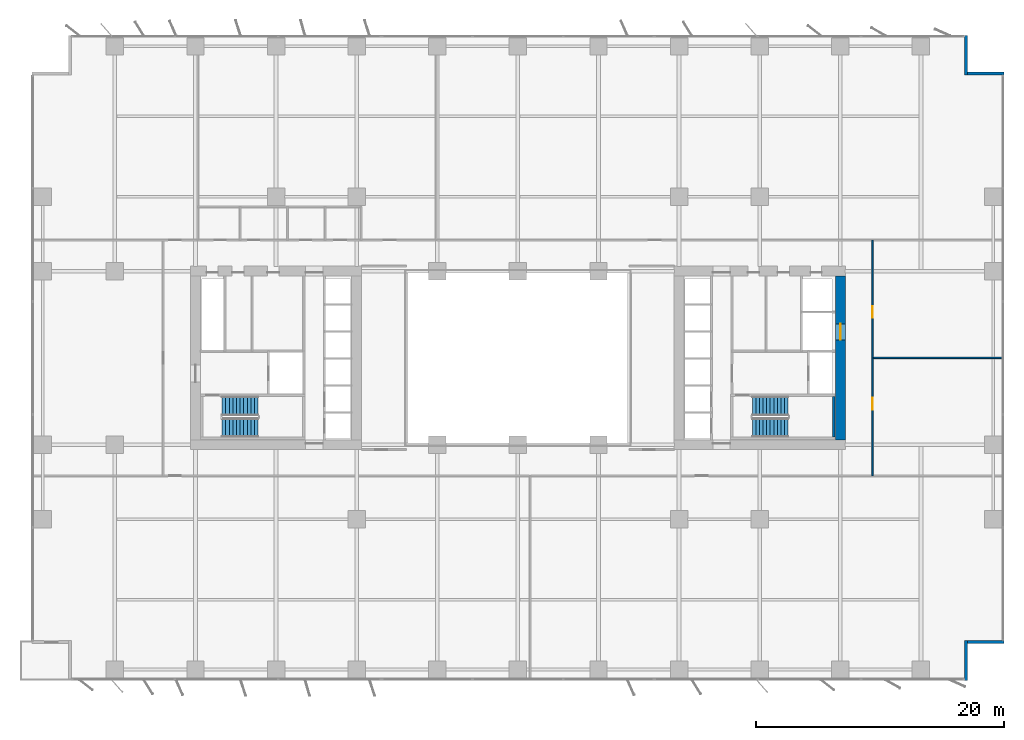
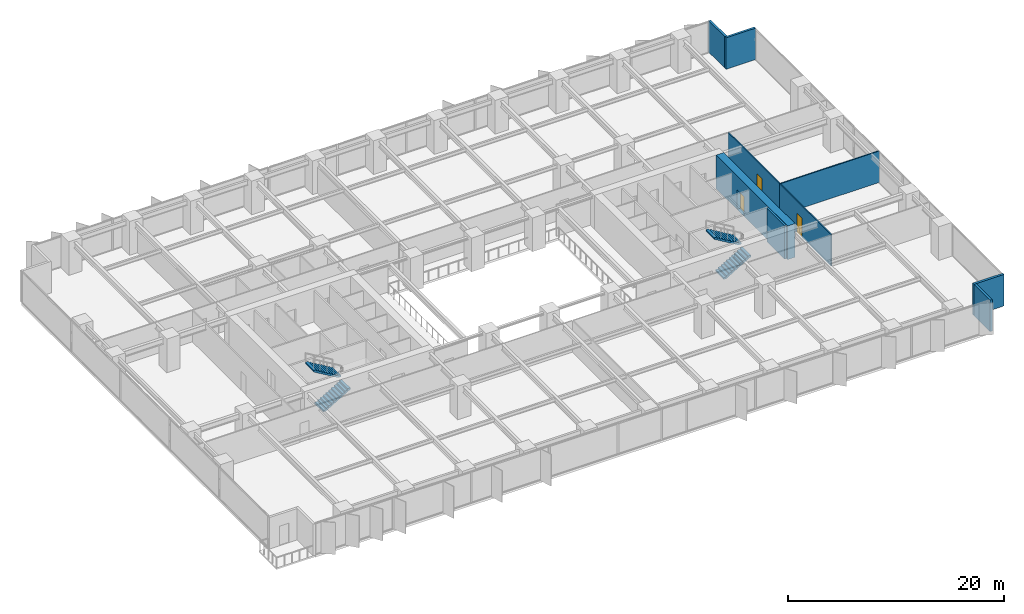
# One storey, part 16 of 20: 9 walls, 4 stair flights, 3 doors, 3 openings, 2 elements without a shape of their own.
"""IFC4 building model written with IfcOpenShell, lengths in metres."""

from ifc_helpers import new_model, si_unit, direction, frame, frame_2d, origin, place, context, subcontext, project, spatial, polyline, rectangle, outline, extrude, material, layer, layer_set, type_object, element, fill, aggregate, save


model = new_model("IFC4")

# Units and contexts
model_context = context("Model", 3, precision=1e-05, world=origin(), true_north=direction((0.0, 1.0)))
body_context = subcontext(model_context, "Body", "Model", "MODEL_VIEW")
ifc_project = project(units=[si_unit("LENGTHUNIT", "METRE"), si_unit("AREAUNIT", "SQUARE_METRE"), si_unit("VOLUMEUNIT", "CUBIC_METRE"), si_unit("PLANEANGLEUNIT", "RADIAN"), si_unit("MASSUNIT", "GRAM", prefix="KILO")], contexts=[model_context])

# Site, building, storey
site_placement = place(None, origin())
site = spatial("IfcSite", under=ifc_project, at=site_placement, CompositionType="ELEMENT")
building_placement = place(site_placement, origin())
building = spatial("IfcBuilding", under=site, at=building_placement, Name="Putna Gate Headquarters", CompositionType="ELEMENT")
storey_placement = place(building_placement, frame((0.0, 0.0, 35.39990234375)))
storey = spatial("IfcBuildingStorey", under=building, at=storey_placement, Name="L07", CompositionType="ELEMENT", Elevation=35.39990234375)

# Wall, opening, door
ifc_material_1 = material(Name="Concrete C60/75", Category="concrete")
ifc_layer_1 = layer(ifc_material_1, 0.800048828125)
ifc_layer_set_1 = layer_set([ifc_layer_1], Name="Concrete C60/75")
wall_type_1 = type_object("IfcWallType", Name="WALL-CORE-800", PredefinedType="SHEAR", material=ifc_layer_set_1)
wall_1_placement = place(storey_placement, frame((65.0, 19.39990234375, 0.0), z_axis=(0.0, 0.0, 1.0), x_axis=(0.0, 1.0, 0.0)))
wall_1 = element("IfcWall", 1, at=wall_1_placement, inside=storey, type_object=wall_type_1, Name="L07 EC Split Core Shear Wall E", PredefinedType="SHEAR", context=body_context, shape_type="SweptSolid", body=[
    extrude(rectangle(XDim=13.2001953125, YDim=0.800048828125, at=frame_2d((6.60009765625, 0.0))), origin(), (0.0, 0.0, 1.0), 3.800048828125),
])
opening_1_placement = place(wall_1_placement, frame((8.050048828125, 0.0, 0.0)))
opening_1 = element("IfcOpeningElement", 2, at=opening_1_placement, cuts=wall_1, Name="Opening LD-2", PredefinedType="OPENING", context=body_context, shape_type="SweptSolid", body=[
    extrude(rectangle(XDim=1.300048828125, YDim=2.199951171875, at=frame_2d((0.64990234375, 1.10009765625))), frame((0.0, 0.409912109375, 0.0), z_axis=(0.0, -1.0, 0.0), x_axis=(1.0, 0.0, 0.0)), (0.0, 0.0, 1.0), 0.820068359375),
])
ifc_material_2 = material(Name="Heavy-duty goods lift sliding landing door")
door_type_1 = type_object("IfcDoorType", Name="DOOR-LIFT-1300", OperationType="DOUBLE_DOOR_SLIDING", PredefinedType="DOOR", material=ifc_material_2)
door_1_placement = place(opening_1_placement, origin())
door_1 = element("IfcDoor", 3, at=door_1_placement, inside=storey, type_object=door_type_1, Name="L07 Goods Lift Landing Door LD-15", OperationType="DOUBLE_DOOR_SLIDING", OverallHeight=2.199951171875, OverallWidth=1.300048828125, PredefinedType="DOOR", context=body_context, shape_type="SweptSolid", body=[
    extrude(rectangle(XDim=1.300048828125, YDim=2.199951171875, at=frame_2d((0.64990234375, 1.10009765625))), frame((0.0, 0.02490234375, 0.0), z_axis=(0.0, -1.0, 0.0), x_axis=(1.0, 0.0, 0.0)), (0.0, 0.0, 1.0), 0.050048828125),
])
fill(opening_1, door_1)

# Walls
ifc_material_3 = material(Name="Precast concrete C40/50", Category="concrete")
ifc_layer_2 = layer(ifc_material_3, 0.239990234375)
ifc_layer_set_2 = layer_set([ifc_layer_2], Name="Precast concrete C40/50")
wall_type_2 = type_object("IfcWallType", Name="WALL-EXT-TERR-240", PredefinedType="STANDARD", material=ifc_layer_set_2)
for number, where, z_axis, x_axis, name in (
    (4, (75.1201171875, 52.0, 0.0), (0.0, 0.0, 1.0), (0.0, -1.0, 0.0), "L07 Corner Notch Return Wall NE-V"),
    (5, (75.0, 48.919921875, 0.0), (0.0, 0.0, 1.0), (1.0, 0.0, 0.0), "L07 Corner Notch Return Wall NE-H"),
    (6, (75.1201171875, 3.199951171875, 0.0), (0.0, 0.0, 1.0), (0.0, -1.0, 0.0), "L07 Corner Notch Return Wall SE-V"),
    (7, (78.199951171875, 3.080078125, 0.0), (0.0, 0.0, 1.0), (-1.0, 0.0, 0.0), "L07 Corner Notch Return Wall SE-H"),
):
    element("IfcWall", number, at=place(storey_placement, frame(where, z_axis=z_axis, x_axis=x_axis)), inside=storey, type_object=wall_type_2, Name=name, PredefinedType="STANDARD", context=body_context, shape_type="SweptSolid", body=[
        extrude(rectangle(XDim=3.199951171875, YDim=0.239990234375, at=frame_2d((1.60009765625, 0.0))), origin(), (0.0, 0.0, 1.0), 3.550048828125),
    ])
ifc_material_4 = material(Name="Acoustic gypsum board on metal stud")
ifc_layer_3 = layer(ifc_material_4, 0.1201171875)
ifc_layer_set_3 = layer_set([ifc_layer_3], Name="Acoustic gypsum board on metal stud")
wall_type_3 = type_object("IfcWallType", Name="WALL-PART-120", PredefinedType="PARTITIONING", material=ifc_layer_set_3)
wall_2_placement = place(storey_placement, frame((67.60009765625, 26.0, 0.0), z_axis=(0.0, 0.0, 1.0), x_axis=(1.0, 0.0, 0.0)))
element("IfcWall", 8, at=wall_2_placement, inside=storey, type_object=wall_type_3, Name="L07 Interior Wall PART-L07-EW-DIV-1", PredefinedType="PARTITIONING", context=body_context, shape_type="SweptSolid", body=[
    extrude(rectangle(XDim=10.579833984375, YDim=0.1201171875, at=frame_2d((5.2900390625, 0.0))), origin(), (0.0, 0.0, 1.0), 3.550048828125),
])

# Wall, opening, door
ifc_material_5 = material(Name="Fire-rated gypsum board on metal stud")
ifc_layer_4 = layer(ifc_material_5, 0.1201171875)
ifc_layer_set_4 = layer_set([ifc_layer_4], Name="Fire-rated gypsum board on metal stud")
wall_type_4 = type_object("IfcWallType", Name="WALL-PART-120-RATED", PredefinedType="PARTITIONING", material=ifc_layer_set_4)
wall_3_placement = place(storey_placement, frame((67.60009765625, 16.5, 0.0), z_axis=(0.0, 0.0, 1.0), x_axis=(0.0, 1.0, 0.0)))
wall_3 = element("IfcWall", 9, at=wall_3_placement, inside=storey, type_object=wall_type_4, Name="L07 Interior Wall PART-L07-EW-CW-1", PredefinedType="PARTITIONING", context=body_context, shape_type="SweptSolid", body=[
    extrude(rectangle(XDim=9.5, YDim=0.1201171875, at=frame_2d((4.75, 0.0))), origin(), (0.0, 0.0, 1.0), 3.550048828125),
])
opening_2_placement = place(wall_3_placement, frame((5.324951171875, 0.0, 0.0)))
opening_2 = element("IfcOpeningElement", 10, at=opening_2_placement, cuts=wall_3, Name="Opening FD-95", PredefinedType="OPENING", context=body_context, shape_type="SweptSolid", body=[
    extrude(rectangle(XDim=0.949951171875, YDim=2.14990234375, at=frame_2d((0.47509765625, 1.074951171875))), frame((0.0, 0.070068359375, 0.0), z_axis=(0.0, -1.0, 0.0), x_axis=(1.0, 0.0, 0.0)), (0.0, 0.0, 1.0), 0.14013671875),
])
ifc_material_6 = material(Name="Acoustic timber fire door", Category="wood")
door_type_2 = type_object("IfcDoorType", Name="DOOR-FIRE-950", OperationType="NOTDEFINED", PredefinedType="DOOR", material=ifc_material_6)
door_2_placement = place(opening_2_placement, origin())
door_2 = element("IfcDoor", 11, at=door_2_placement, inside=storey, type_object=door_type_2, Name="L07 East Advisory Office 1 Door", OperationType="SINGLE_SWING_LEFT", OverallHeight=2.14990234375, OverallWidth=0.949951171875, PredefinedType="DOOR", context=body_context, shape_type="SweptSolid", body=[
    extrude(rectangle(XDim=0.949951171875, YDim=2.14990234375, at=frame_2d((0.47509765625, 1.074951171875))), frame((0.0, 0.02490234375, 0.0), z_axis=(0.0, -1.0, 0.0), x_axis=(1.0, 0.0, 0.0)), (0.0, 0.0, 1.0), 0.050048828125),
])
fill(opening_2, door_2)

wall_4_placement = place(storey_placement, frame((67.60009765625, 26.0, 0.0), z_axis=(0.0, 0.0, 1.0), x_axis=(0.0, 1.0, 0.0)))
wall_4 = element("IfcWall", 12, at=wall_4_placement, inside=storey, type_object=wall_type_4, Name="L07 Interior Wall PART-L07-EW-CW-2", PredefinedType="PARTITIONING", context=body_context, shape_type="SweptSolid", body=[
    extrude(rectangle(XDim=9.5, YDim=0.1201171875, at=frame_2d((4.75, 0.0))), origin(), (0.0, 0.0, 1.0), 3.550048828125),
])
opening_3_placement = place(wall_4_placement, frame((3.22509765625, 0.0, 0.0)))
opening_3 = element("IfcOpeningElement", 13, at=opening_3_placement, cuts=wall_4, Name="Opening FD-95", PredefinedType="OPENING", context=body_context, shape_type="SweptSolid", body=[
    extrude(rectangle(XDim=0.949951171875, YDim=2.14990234375, at=frame_2d((0.47509765625, 1.074951171875))), frame((0.0, 0.070068359375, 0.0), z_axis=(0.0, -1.0, 0.0), x_axis=(1.0, 0.0, 0.0)), (0.0, 0.0, 1.0), 0.14013671875),
])
door_3_placement = place(opening_3_placement, origin())
door_3 = element("IfcDoor", 14, at=door_3_placement, inside=storey, type_object=door_type_2, Name="L07 East Horizon Conference Room 2 Door", OperationType="SINGLE_SWING_RIGHT", OverallHeight=2.14990234375, OverallWidth=0.949951171875, PredefinedType="DOOR", context=body_context, shape_type="SweptSolid", body=[
    extrude(rectangle(XDim=0.949951171875, YDim=2.14990234375, at=frame_2d((0.47509765625, 1.074951171875))), frame((0.0, 0.02490234375, 0.0), z_axis=(0.0, -1.0, 0.0), x_axis=(1.0, 0.0, 0.0)), (0.0, 0.0, 1.0), 0.050048828125),
])
fill(opening_3, door_3)

# Wall
ifc_material_7 = material(Name="Concrete C40/50", Category="concrete")
ifc_layer_5 = layer(ifc_material_7, 0.199951171875)
ifc_layer_set_5 = layer_set([ifc_layer_5], Name="Concrete C40/50")
wall_type_5 = type_object("IfcWallType", Name="WALL-SHAFT-RC200", PredefinedType="SHEAR", material=ifc_layer_set_5)
wall_5_placement = place(storey_placement, frame((64.489990234375, 19.610107421875, 0.0), z_axis=(0.0, 0.0, 1.0), x_axis=(0.0, 1.0, 0.0)))
element("IfcWall", 15, at=wall_5_placement, inside=storey, type_object=wall_type_5, Name="L07 Stair ST2 Structural Shaft Wall E", PredefinedType="SHEAR", context=body_context, shape_type="SweptSolid", body=[
    extrude(rectangle(XDim=3.27978515625, YDim=0.199951171875, at=frame_2d((1.639892578125, 0.0))), origin(), (0.0, 0.0, 1.0), 3.800048828125),
])

# Stair, stair flights
stair_type_1 = type_object("IfcStairType", Name="STAIR-ST1", PredefinedType="HALF_TURN_STAIR", material=ifc_material_7)
stair_1_placement = place(storey_placement, origin())
stair_1 = element("IfcStair", 16, at=stair_1_placement, inside=storey, type_object=stair_type_1, Name="L07 West Core Exit Stair ST1", PredefinedType="HALF_TURN_STAIR")
stair_flight_type_1 = type_object("IfcStairFlightType", Name="FLIGHT-ST1", PredefinedType="STRAIGHT", material=ifc_material_7)
stair_flight_1_placement = place(storey_placement, frame((15.14990234375, 20.375, 0.0), z_axis=(0.0, 0.0, 1.0), x_axis=(1.0, 0.0, 0.0)))
stair_flight_1 = element("IfcStairFlight", 17, at=stair_flight_1_placement, type_object=stair_flight_type_1, Name="ST1 flight 1", NumberOfRisers=11, NumberOfTreads=10, PredefinedType="STRAIGHT", RiserHeight=0.172727273, TreadLength=0.29, context=body_context, shape_type="SweptSolid", body=[
    extrude(outline(polyline([(0.0, 0.0), (0.0, 0.172607421875), (0.2900390625, 0.172607421875), (0.2900390625, 0.345458984375), (0.580078125, 0.345458984375), (0.580078125, 0.51806640625), (0.8701171875, 0.51806640625), (0.8701171875, 0.69091796875), (1.159912109375, 0.69091796875), (1.159912109375, 0.863525390625), (1.449951171875, 0.863525390625), (1.449951171875, 1.036376953125), (1.739990234375, 1.036376953125), (1.739990234375, 1.208984375), (2.030029296875, 1.208984375), (2.030029296875, 1.3818359375), (2.320068359375, 1.3818359375), (2.320068359375, 1.554443359375), (2.610107421875, 1.554443359375), (2.610107421875, 1.727294921875), (2.89990234375, 1.727294921875), (2.89990234375, 1.89990234375), (2.89990234375, 1.552734375), (0.29296875, 0.0), (0.0, 0.0)])), frame((0.0, 0.77490234375, 0.0), z_axis=(0.0, -1.0, 0.0), x_axis=(1.0, 0.0, 0.0)), (0.0, 0.0, 1.0), 1.550048828125),
])
stair_flight_2_placement = place(storey_placement, frame((18.050048828125, 22.125, 1.900146484375), z_axis=(0.0, 0.0, 1.0), x_axis=(-1.0, 0.0, 0.0)))
stair_flight_2 = element("IfcStairFlight", 18, at=stair_flight_2_placement, type_object=stair_flight_type_1, Name="ST1 flight 2", NumberOfRisers=11, NumberOfTreads=10, PredefinedType="STRAIGHT", RiserHeight=0.172727273, TreadLength=0.29, context=body_context, shape_type="SweptSolid", body=[
    extrude(outline(polyline([(0.0, 0.0), (0.0, 0.172607421875), (0.2900390625, 0.172607421875), (0.2900390625, 0.345458984375), (0.580078125, 0.345458984375), (0.580078125, 0.51806640625), (0.8701171875, 0.51806640625), (0.8701171875, 0.69091796875), (1.159912109375, 0.69091796875), (1.159912109375, 0.863525390625), (1.449951171875, 0.863525390625), (1.449951171875, 1.036376953125), (1.739990234375, 1.036376953125), (1.739990234375, 1.208984375), (2.030029296875, 1.208984375), (2.030029296875, 1.3818359375), (2.320068359375, 1.3818359375), (2.320068359375, 1.554443359375), (2.610107421875, 1.554443359375), (2.610107421875, 1.727294921875), (2.89990234375, 1.727294921875), (2.89990234375, 1.89990234375), (2.89990234375, 1.552734375), (0.29296875, 0.0), (0.0, 0.0)])), frame((0.0, 0.77490234375, 0.0), z_axis=(0.0, -1.0, 0.0), x_axis=(1.0, 0.0, 0.0)), (0.0, 0.0, 1.0), 1.550048828125),
])
aggregate(stair_1, [stair_flight_1, stair_flight_2])

stair_type_2 = type_object("IfcStairType", Name="STAIR-ST2", PredefinedType="HALF_TURN_STAIR", material=ifc_material_7)
stair_2_placement = place(storey_placement, origin())
stair_2 = element("IfcStair", 19, at=stair_2_placement, inside=storey, type_object=stair_type_2, Name="L07 East Core Exit Stair ST2", PredefinedType="HALF_TURN_STAIR")
stair_flight_type_2 = type_object("IfcStairFlightType", Name="FLIGHT-ST2", PredefinedType="STRAIGHT", material=ifc_material_7)
stair_flight_3_placement = place(storey_placement, frame((57.89990234375, 20.375, 0.0), z_axis=(0.0, 0.0, 1.0), x_axis=(1.0, 0.0, 0.0)))
stair_flight_3 = element("IfcStairFlight", 20, at=stair_flight_3_placement, type_object=stair_flight_type_2, Name="ST2 flight 1", NumberOfRisers=11, NumberOfTreads=10, PredefinedType="STRAIGHT", RiserHeight=0.172727273, TreadLength=0.29, context=body_context, shape_type="SweptSolid", body=[
    extrude(outline(polyline([(0.0, 0.0), (0.0, 0.172607421875), (0.2900390625, 0.172607421875), (0.2900390625, 0.345458984375), (0.580078125, 0.345458984375), (0.580078125, 0.51806640625), (0.8701171875, 0.51806640625), (0.8701171875, 0.69091796875), (1.159912109375, 0.69091796875), (1.159912109375, 0.863525390625), (1.449951171875, 0.863525390625), (1.449951171875, 1.036376953125), (1.739990234375, 1.036376953125), (1.739990234375, 1.208984375), (2.030029296875, 1.208984375), (2.030029296875, 1.3818359375), (2.320068359375, 1.3818359375), (2.320068359375, 1.554443359375), (2.610107421875, 1.554443359375), (2.610107421875, 1.727294921875), (2.89990234375, 1.727294921875), (2.89990234375, 1.89990234375), (2.89990234375, 1.552734375), (0.29296875, 0.0), (0.0, 0.0)])), frame((0.0, 0.77490234375, 0.0), z_axis=(0.0, -1.0, 0.0), x_axis=(1.0, 0.0, 0.0)), (0.0, 0.0, 1.0), 1.550048828125),
])
stair_flight_4_placement = place(storey_placement, frame((60.800048828125, 22.125, 1.900146484375), z_axis=(0.0, 0.0, 1.0), x_axis=(-1.0, 0.0, 0.0)))
stair_flight_4 = element("IfcStairFlight", 21, at=stair_flight_4_placement, type_object=stair_flight_type_2, Name="ST2 flight 2", NumberOfRisers=11, NumberOfTreads=10, PredefinedType="STRAIGHT", RiserHeight=0.172727273, TreadLength=0.29, context=body_context, shape_type="SweptSolid", body=[
    extrude(outline(polyline([(0.0, 0.0), (0.0, 0.172607421875), (0.2900390625, 0.172607421875), (0.2900390625, 0.345458984375), (0.580078125, 0.345458984375), (0.580078125, 0.51806640625), (0.8701171875, 0.51806640625), (0.8701171875, 0.69091796875), (1.159912109375, 0.69091796875), (1.159912109375, 0.863525390625), (1.449951171875, 0.863525390625), (1.449951171875, 1.036376953125), (1.739990234375, 1.036376953125), (1.739990234375, 1.208984375), (2.030029296875, 1.208984375), (2.030029296875, 1.3818359375), (2.320068359375, 1.3818359375), (2.320068359375, 1.554443359375), (2.610107421875, 1.554443359375), (2.610107421875, 1.727294921875), (2.89990234375, 1.727294921875), (2.89990234375, 1.89990234375), (2.89990234375, 1.552734375), (0.29296875, 0.0), (0.0, 0.0)])), frame((0.0, 0.77490234375, 0.0), z_axis=(0.0, -1.0, 0.0), x_axis=(1.0, 0.0, 0.0)), (0.0, 0.0, 1.0), 1.550048828125),
])
aggregate(stair_2, [stair_flight_3, stair_flight_4])

save(model, "model.ifc")
